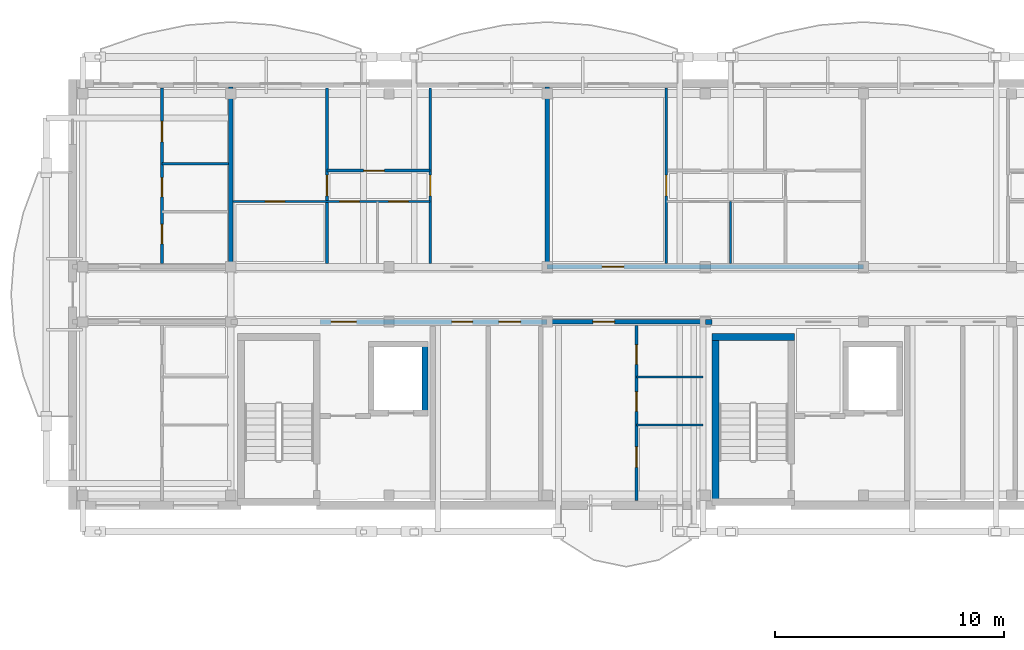
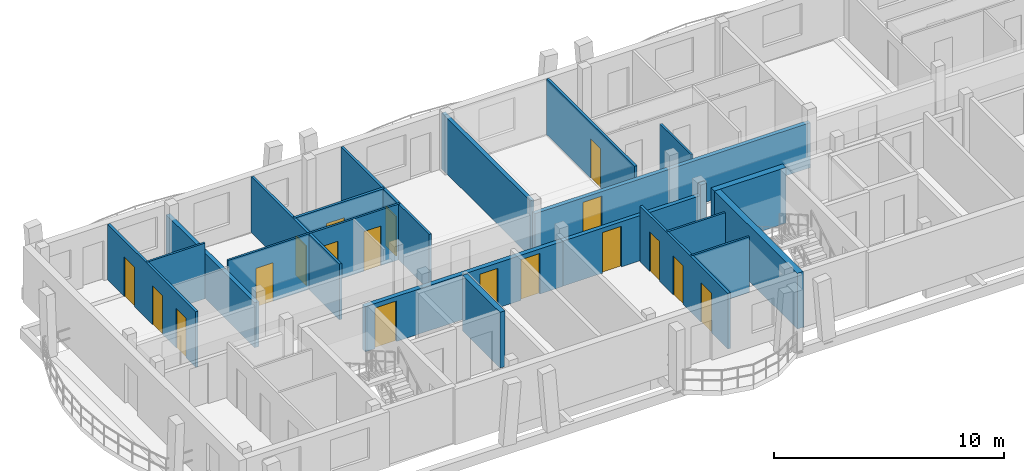
# One storey, part 22 of 48: 20 walls, 18 doors, 18 openings.
"""IFC4 building model written with IfcOpenShell, lengths in metres."""

from ifc_helpers import new_model, si_unit, direction, frame, frame_2d, origin, origin_with_axes, place, context, subcontext, project, spatial, rectangle, extrude, material, layer, layer_set, type_object, element, fill, save


model = new_model("IFC4")

# Units and contexts
model_context = context("Model", 3, precision=1e-05, world=origin(), true_north=direction((0.0, 1.0)))
body_context = subcontext(model_context, "Body", "Model", "MODEL_VIEW")
ifc_project = project(units=[si_unit("LENGTHUNIT", "METRE"), si_unit("AREAUNIT", "SQUARE_METRE"), si_unit("VOLUMEUNIT", "CUBIC_METRE"), si_unit("PLANEANGLEUNIT", "RADIAN"), si_unit("MASSUNIT", "GRAM", prefix="KILO")], contexts=[model_context])

# Site, building, storey
site_placement = place(None, origin())
site = spatial("IfcSite", under=ifc_project, at=site_placement, CompositionType="ELEMENT")
building_placement = place(site_placement, origin())
building = spatial("IfcBuilding", under=site, at=building_placement, Name="Zavelmont Quarter", CompositionType="ELEMENT")
storey_placement = place(building_placement, frame((0.0, 0.0, 17.60009765625)))
storey = spatial("IfcBuildingStorey", under=building, at=storey_placement, Name="L05", CompositionType="ELEMENT", Elevation=17.60009765625)

# Walls
ifc_material_1 = material(Name="Calcium-silicate blockwork and acoustic plaster", Category="masonry")
ifc_layer_1 = layer(ifc_material_1, 0.199951171875)
ifc_layer_set_1 = layer_set([ifc_layer_1], Name="Calcium-silicate blockwork and acoustic plaster")
wall_type_1 = type_object("IfcWallType", Name="IW01", PredefinedType="PARTITIONING", material=ifc_layer_set_1)
wall_1_placement = place(storey_placement, frame((6.89990234375, 108.14990234375, 0.0), z_axis=(0.0, 0.0, 1.0), x_axis=(0.0, 1.0, 0.0)))
element("IfcWall", 1, at=wall_1_placement, inside=storey, type_object=wall_type_1, Name="L05 Inter-dwelling compartment wall IW01", PredefinedType="PARTITIONING", context=body_context, shape_type="SweptSolid", body=[
    extrude(rectangle(XDim=7.7001953125, YDim=0.199951171875, at=frame_2d((3.85009765625, 0.0))), origin(), (0.0, 0.0, 1.0), 2.389892578125),
])
wall_2_placement = place(storey_placement, frame((20.699951171875, 108.14990234375, 0.0), z_axis=(0.0, 0.0, 1.0), x_axis=(0.0, 1.0, 0.0)))
element("IfcWall", 2, at=wall_2_placement, inside=storey, type_object=wall_type_1, Name="L05 Inter-dwelling compartment wall IW01", PredefinedType="PARTITIONING", context=body_context, shape_type="SweptSolid", body=[
    extrude(rectangle(XDim=7.7001953125, YDim=0.199951171875, at=frame_2d((3.85009765625, 0.0))), origin(), (0.0, 0.0, 1.0), 2.949951171875),
])

# Wall, opening, door
wall_3_placement = place(storey_placement, frame((20.699951171875, 108.0, 0.0), z_axis=(0.0, 0.0, 1.0), x_axis=(1.0, 0.0, 0.0)))
wall_3 = element("IfcWall", 3, at=wall_3_placement, inside=storey, type_object=wall_type_1, Name="L05 Corridor compartment wall IW01", PredefinedType="PARTITIONING", context=body_context, shape_type="SweptSolid", body=[
    extrude(rectangle(XDim=13.800048828125, YDim=0.199951171875, at=frame_2d((6.89990234375, 0.0))), origin(), (0.0, 0.0, 1.0), 2.389892578125),
])
opening_1_placement = place(wall_3_placement, frame((2.39990234375, 0.0, 0.0)))
opening_1 = element("IfcOpeningElement", 4, at=opening_1_placement, cuts=wall_3, Name="Opening DR02", PredefinedType="OPENING", context=body_context, shape_type="SweptSolid", body=[
    extrude(rectangle(XDim=0.949951171875, YDim=2.14990234375, at=frame_2d((0.47509765625, 1.074951171875))), frame((0.0, 0.11181640625, 0.0), z_axis=(0.0, -1.0, 0.0), x_axis=(1.0, 0.0, 0.0)), (0.0, 0.0, 1.0), 0.223876953125),
])
ifc_material_2 = material(Name="Solid-core oak fire leaf in steel frame", Category="steel")
door_type_1 = type_object("IfcDoorType", Name="DR02", OperationType="NOTDEFINED", PredefinedType="DOOR", material=ifc_material_2)
door_1_placement = place(opening_1_placement, origin_with_axes())
door_1 = element("IfcDoor", 5, at=door_1_placement, inside=storey, type_object=door_type_1, Name="L05 door DR02", OperationType="SINGLE_SWING_LEFT", OverallHeight=2.14990234375, OverallWidth=0.949951171875, PredefinedType="DOOR", context=body_context, shape_type="SweptSolid", body=[
    extrude(rectangle(XDim=0.949951171875, YDim=2.14990234375, at=frame_2d((0.47509765625, 1.074951171875))), frame((0.0, 0.02490234375, 0.0), z_axis=(0.0, -1.0, 0.0), x_axis=(1.0, 0.0, 0.0)), (0.0, 0.0, 1.0), 0.050048828125),
])
fill(opening_1, door_1)

wall_4_placement = place(storey_placement, frame((20.699951171875, 105.60009765625, 0.0), z_axis=(0.0, 0.0, 1.0), x_axis=(1.0, 0.0, 0.0)))
wall_4 = element("IfcWall", 6, at=wall_4_placement, inside=storey, type_object=wall_type_1, Name="L05 Corridor compartment wall IW01", PredefinedType="PARTITIONING", context=body_context, shape_type="SweptSolid", body=[
    extrude(rectangle(XDim=6.900146484375, YDim=0.199951171875, at=frame_2d((3.4501953125, 0.0))), origin(), (0.0, 0.0, 1.0), 2.389892578125),
])
opening_2_placement = place(wall_4_placement, frame((2.0, 0.0, 0.0)))
opening_2 = element("IfcOpeningElement", 7, at=opening_2_placement, cuts=wall_4, Name="Opening DR02", PredefinedType="OPENING", context=body_context, shape_type="SweptSolid", body=[
    extrude(rectangle(XDim=0.949951171875, YDim=2.14990234375, at=frame_2d((0.47509765625, 1.074951171875))), frame((0.0, 0.11181640625, 0.0), z_axis=(0.0, -1.0, 0.0), x_axis=(1.0, 0.0, 0.0)), (0.0, 0.0, 1.0), 0.223876953125),
])
door_2_placement = place(opening_2_placement, frame((0.949951171875, 0.0, 0.0), z_axis=(0.0, 0.0, 1.0), x_axis=(-1.0, 0.0, 0.0)))
door_2 = element("IfcDoor", 8, at=door_2_placement, inside=storey, type_object=door_type_1, Name="L05 door DR02", OperationType="SINGLE_SWING_RIGHT", OverallHeight=2.14990234375, OverallWidth=0.949951171875, PredefinedType="DOOR", context=body_context, shape_type="SweptSolid", body=[
    extrude(rectangle(XDim=0.949951171875, YDim=2.14990234375, at=frame_2d((0.47509765625, 1.074951171875))), frame((0.0, 0.02490234375, 0.0), z_axis=(0.0, -1.0, 0.0), x_axis=(1.0, 0.0, 0.0)), (0.0, 0.0, 1.0), 0.050048828125),
])
fill(opening_2, door_2)

# Wall, openings, doors
ifc_material_3 = material(Name="Reinforced masonry fire compartment wall", Category="masonry")
ifc_layer_2 = layer(ifc_material_3, 0.22509765625)
ifc_layer_set_2 = layer_set([ifc_layer_2], Name="Reinforced masonry fire compartment wall")
wall_type_2 = type_object("IfcWallType", Name="IW02", PredefinedType="PARTITIONING", material=ifc_layer_set_2)
wall_5_placement = place(storey_placement, frame((10.800048828125, 105.60009765625, 0.0), z_axis=(0.0, 0.0, 1.0), x_axis=(1.0, 0.0, 0.0)))
wall_5 = element("IfcWall", 9, at=wall_5_placement, inside=storey, type_object=wall_type_2, Name="L05 Core corridor fire wall IW02", PredefinedType="PARTITIONING", context=body_context, shape_type="SweptSolid", body=[
    extrude(rectangle(XDim=9.89990234375, YDim=0.22509765625, at=frame_2d((4.949951171875, 0.0))), origin(), (0.0, 0.0, 1.0), 2.389892578125),
])
opening_3_placement = place(wall_5_placement, frame((0.47509765625, 0.0, 0.0)))
opening_3 = element("IfcOpeningElement", 10, at=opening_3_placement, cuts=wall_5, Name="Opening DR10", PredefinedType="OPENING", context=body_context, shape_type="SweptSolid", body=[
    extrude(rectangle(XDim=1.10009765625, YDim=2.14990234375, at=frame_2d((0.550048828125, 1.074951171875))), frame((0.0, 0.12451171875, 0.0), z_axis=(0.0, -1.0, 0.0), x_axis=(1.0, 0.0, 0.0)), (0.0, 0.0, 1.0), 0.2490234375),
])
opening_4_placement = place(wall_5_placement, frame((5.75, 0.0, 0.0)))
opening_4 = element("IfcOpeningElement", 11, at=opening_4_placement, cuts=wall_5, Name="Opening DR11", PredefinedType="OPENING", context=body_context, shape_type="SweptSolid", body=[
    extrude(rectangle(XDim=0.89990234375, YDim=2.10009765625, at=frame_2d((0.449951171875, 1.050048828125))), frame((0.0, 0.12451171875, 0.0), z_axis=(0.0, -1.0, 0.0), x_axis=(1.0, 0.0, 0.0)), (0.0, 0.0, 1.0), 0.2490234375),
])
opening_5_placement = place(wall_5_placement, frame((7.800048828125, 0.0, 0.0)))
opening_5 = element("IfcOpeningElement", 12, at=opening_5_placement, cuts=wall_5, Name="Opening DR02", PredefinedType="OPENING", context=body_context, shape_type="SweptSolid", body=[
    extrude(rectangle(XDim=0.949951171875, YDim=2.14990234375, at=frame_2d((0.47509765625, 1.074951171875))), frame((0.0, 0.12451171875, 0.0), z_axis=(0.0, -1.0, 0.0), x_axis=(1.0, 0.0, 0.0)), (0.0, 0.0, 1.0), 0.2490234375),
])
door_3_placement = place(opening_5_placement, origin_with_axes())
door_3 = element("IfcDoor", 13, at=door_3_placement, inside=storey, type_object=door_type_1, Name="Auxiliary store corridor door", OperationType="SINGLE_SWING_RIGHT", OverallHeight=2.14990234375, OverallWidth=0.949951171875, PredefinedType="DOOR", context=body_context, shape_type="SweptSolid", body=[
    extrude(rectangle(XDim=0.949951171875, YDim=2.14990234375, at=frame_2d((0.47509765625, 1.074951171875))), frame((0.0, 0.02490234375, 0.0), z_axis=(0.0, -1.0, 0.0), x_axis=(1.0, 0.0, 0.0)), (0.0, 0.0, 1.0), 0.050048828125),
])
fill(opening_5, door_3)
ifc_material_4 = material(Name="Painted steel lobby fire door", Category="steel")
door_type_2 = type_object("IfcDoorType", Name="DR10", OperationType="NOTDEFINED", PredefinedType="DOOR", material=ifc_material_4)
door_4_placement = place(opening_3_placement, frame((1.10009765625, 0.0, 0.0), z_axis=(0.0, 0.0, 1.0), x_axis=(-1.0, 0.0, 0.0)))
door_4 = element("IfcDoor", 14, at=door_4_placement, inside=storey, type_object=door_type_2, Name="Core vestibule fire door", OperationType="SINGLE_SWING_RIGHT", OverallHeight=2.14990234375, OverallWidth=1.10009765625, PredefinedType="DOOR", context=body_context, shape_type="SweptSolid", body=[
    extrude(rectangle(XDim=1.10009765625, YDim=2.14990234375, at=frame_2d((0.550048828125, 1.074951171875))), frame((0.0, 0.02490234375, 0.0), z_axis=(0.0, -1.0, 0.0), x_axis=(1.0, 0.0, 0.0)), (0.0, 0.0, 1.0), 0.050048828125),
])
fill(opening_3, door_4)
ifc_material_5 = material(Name="Painted steel service-riser fire door", Category="steel")
door_type_3 = type_object("IfcDoorType", Name="DR11", OperationType="NOTDEFINED", PredefinedType="DOOR", material=ifc_material_5)
door_5_placement = place(opening_4_placement, origin_with_axes())
door_5 = element("IfcDoor", 15, at=door_5_placement, inside=storey, type_object=door_type_3, Name="Service riser fire door", OperationType="SINGLE_SWING_LEFT", OverallHeight=2.10009765625, OverallWidth=0.89990234375, PredefinedType="DOOR", context=body_context, shape_type="SweptSolid", body=[
    extrude(rectangle(XDim=0.89990234375, YDim=2.10009765625, at=frame_2d((0.449951171875, 1.050048828125))), frame((0.0, 0.02490234375, 0.0), z_axis=(0.0, -1.0, 0.0), x_axis=(1.0, 0.0, 0.0)), (0.0, 0.0, 1.0), 0.050048828125),
])
fill(opening_4, door_5)

# Wall
wall_6_placement = place(storey_placement, frame((27.60009765625, 105.60009765625, 0.0), z_axis=(0.0, 0.0, 1.0), x_axis=(1.0, 0.0, 0.0)))
element("IfcWall", 16, at=wall_6_placement, inside=storey, type_object=wall_type_2, Name="L05 Core corridor wall IW02", PredefinedType="PARTITIONING", context=body_context, shape_type="SweptSolid", body=[
    extrude(rectangle(XDim=0.2998046875, YDim=0.22509765625, at=frame_2d((0.14990234375, 0.0))), origin(), (0.0, 0.0, 1.0), 2.949951171875),
])

# Wall, openings, doors
ifc_material_6 = material(Name="Double gypsum board on acoustic steel stud", Category="steel")
ifc_layer_3 = layer(ifc_material_6, 0.125)
ifc_layer_set_3 = layer_set([ifc_layer_3], Name="Double gypsum board on acoustic steel stud")
wall_type_3 = type_object("IfcWallType", Name="IW03", PredefinedType="PARTITIONING", material=ifc_layer_set_3)
wall_7_placement = place(storey_placement, frame((3.89990234375, 108.14990234375, 0.0), z_axis=(0.0, 0.0, 1.0), x_axis=(0.0, 1.0, 0.0)))
wall_7 = element("IfcWall", 17, at=wall_7_placement, inside=storey, type_object=wall_type_3, Name="L05 Partition IW03", PredefinedType="PARTITIONING", context=body_context, shape_type="SweptSolid", body=[
    extrude(rectangle(XDim=7.650146484375, YDim=0.125, at=frame_2d((3.8251953125, 0.0))), origin(), (0.0, 0.0, 1.0), 2.949951171875),
])
opening_6_placement = place(wall_7_placement, frame((0.85009765625, 0.0, 0.0)))
opening_6 = element("IfcOpeningElement", 18, at=opening_6_placement, cuts=wall_7, Name="Opening DR16", PredefinedType="OPENING", context=body_context, shape_type="SweptSolid", body=[
    extrude(rectangle(XDim=0.85009765625, YDim=2.10009765625, at=frame_2d((0.425048828125, 1.050048828125))), frame((0.0, 0.074462890625, 0.0), z_axis=(0.0, -1.0, 0.0), x_axis=(1.0, 0.0, 0.0)), (0.0, 0.0, 1.0), 0.14892578125),
])
opening_7_placement = place(wall_7_placement, frame((2.89990234375, 0.0, 0.0)))
opening_7 = element("IfcOpeningElement", 19, at=opening_7_placement, cuts=wall_7, Name="Opening DR06", PredefinedType="OPENING", context=body_context, shape_type="SweptSolid", body=[
    extrude(rectangle(XDim=0.85009765625, YDim=2.050048828125, at=frame_2d((0.425048828125, 1.02490234375))), frame((0.0, 0.074462890625, 0.0), z_axis=(0.0, -1.0, 0.0), x_axis=(1.0, 0.0, 0.0)), (0.0, 0.0, 1.0), 0.14892578125),
])
opening_8_placement = place(wall_7_placement, frame((5.300048828125, 0.0, 0.0)))
opening_8 = element("IfcOpeningElement", 20, at=opening_8_placement, cuts=wall_7, Name="Opening DR05", PredefinedType="OPENING", context=body_context, shape_type="SweptSolid", body=[
    extrude(rectangle(XDim=0.89990234375, YDim=2.10009765625, at=frame_2d((0.449951171875, 1.050048828125))), frame((0.0, 0.074462890625, 0.0), z_axis=(0.0, -1.0, 0.0), x_axis=(1.0, 0.0, 0.0)), (0.0, 0.0, 1.0), 0.14892578125),
])
ifc_material_7 = material(Name="Engineered oak flush interior door")
door_type_4 = type_object("IfcDoorType", Name="DR05", OperationType="NOTDEFINED", PredefinedType="DOOR", material=ifc_material_7)
door_6_placement = place(opening_8_placement, origin_with_axes())
door_6 = element("IfcDoor", 21, at=door_6_placement, inside=storey, type_object=door_type_4, Name="L05 door DR05", OperationType="SINGLE_SWING_RIGHT", OverallHeight=2.10009765625, OverallWidth=0.89990234375, PredefinedType="DOOR", context=body_context, shape_type="SweptSolid", body=[
    extrude(rectangle(XDim=0.89990234375, YDim=2.10009765625, at=frame_2d((0.449951171875, 1.050048828125))), frame((0.0, 0.02490234375, 0.0), z_axis=(0.0, -1.0, 0.0), x_axis=(1.0, 0.0, 0.0)), (0.0, 0.0, 1.0), 0.050048828125),
])
fill(opening_8, door_6)
ifc_material_8 = material(Name="Moisture-resistant painted wet-room door")
door_type_5 = type_object("IfcDoorType", Name="DR06", OperationType="NOTDEFINED", PredefinedType="DOOR", material=ifc_material_8)
door_7_placement = place(opening_7_placement, frame((0.85009765625, 0.0, 0.0), z_axis=(0.0, 0.0, 1.0), x_axis=(-1.0, 0.0, 0.0)))
door_7 = element("IfcDoor", 22, at=door_7_placement, inside=storey, type_object=door_type_5, Name="L05 door DR06", OperationType="SINGLE_SWING_LEFT", OverallHeight=2.050048828125, OverallWidth=0.85009765625, PredefinedType="DOOR", context=body_context, shape_type="SweptSolid", body=[
    extrude(rectangle(XDim=0.85009765625, YDim=2.050048828125, at=frame_2d((0.425048828125, 1.02490234375))), frame((0.0, 0.02490234375, 0.0), z_axis=(0.0, -1.0, 0.0), x_axis=(1.0, 0.0, 0.0)), (0.0, 0.0, 1.0), 0.050048828125),
])
fill(opening_7, door_7)
door_type_6 = type_object("IfcDoorType", Name="DR16", OperationType="NOTDEFINED", PredefinedType="DOOR", material=ifc_material_7)
door_8_placement = place(opening_6_placement, origin_with_axes())
door_8 = element("IfcDoor", 23, at=door_8_placement, inside=storey, type_object=door_type_6, Name="L05 door DR16", OperationType="SINGLE_SWING_RIGHT", OverallHeight=2.10009765625, OverallWidth=0.85009765625, PredefinedType="DOOR", context=body_context, shape_type="SweptSolid", body=[
    extrude(rectangle(XDim=0.85009765625, YDim=2.10009765625, at=frame_2d((0.425048828125, 1.050048828125))), frame((0.0, 0.02490234375, 0.0), z_axis=(0.0, -1.0, 0.0), x_axis=(1.0, 0.0, 0.0)), (0.0, 0.0, 1.0), 0.050048828125),
])
fill(opening_6, door_8)

# Wall, opening, door
wall_8_placement = place(storey_placement, frame((15.60009765625, 108.14990234375, 0.0), z_axis=(0.0, 0.0, 1.0), x_axis=(0.0, 1.0, 0.0)))
wall_8 = element("IfcWall", 24, at=wall_8_placement, inside=storey, type_object=wall_type_3, Name="L05 Partition IW03", PredefinedType="PARTITIONING", context=body_context, shape_type="SweptSolid", body=[
    extrude(rectangle(XDim=7.650146484375, YDim=0.125, at=frame_2d((3.8251953125, 0.0))), origin(), (0.0, 0.0, 1.0), 2.949951171875),
])
opening_9_placement = place(wall_8_placement, frame((2.949951171875, 0.0, 0.0)))
opening_9 = element("IfcOpeningElement", 25, at=opening_9_placement, cuts=wall_8, Name="Opening DR05", PredefinedType="OPENING", context=body_context, shape_type="SweptSolid", body=[
    extrude(rectangle(XDim=0.89990234375, YDim=2.10009765625, at=frame_2d((0.449951171875, 1.050048828125))), frame((0.0, 0.074462890625, 0.0), z_axis=(0.0, -1.0, 0.0), x_axis=(1.0, 0.0, 0.0)), (0.0, 0.0, 1.0), 0.14892578125),
])
door_9_placement = place(opening_9_placement, origin_with_axes())
door_9 = element("IfcDoor", 26, at=door_9_placement, inside=storey, type_object=door_type_4, Name="L05 door DR05", OperationType="SINGLE_SWING_LEFT", OverallHeight=2.10009765625, OverallWidth=0.89990234375, PredefinedType="DOOR", context=body_context, shape_type="SweptSolid", body=[
    extrude(rectangle(XDim=0.89990234375, YDim=2.10009765625, at=frame_2d((0.449951171875, 1.050048828125))), frame((0.0, 0.02490234375, 0.0), z_axis=(0.0, -1.0, 0.0), x_axis=(1.0, 0.0, 0.0)), (0.0, 0.0, 1.0), 0.050048828125),
])
fill(opening_9, door_9)

wall_9_placement = place(storey_placement, frame((11.10009765625, 108.14990234375, 0.0), z_axis=(0.0, 0.0, 1.0), x_axis=(0.0, 1.0, 0.0)))
wall_9 = element("IfcWall", 27, at=wall_9_placement, inside=storey, type_object=wall_type_3, Name="L05 Partition IW03", PredefinedType="PARTITIONING", context=body_context, shape_type="SweptSolid", body=[
    extrude(rectangle(XDim=7.650146484375, YDim=0.125, at=frame_2d((3.8251953125, 0.0))), origin(), (0.0, 0.0, 1.0), 2.949951171875),
])
opening_10_placement = place(wall_9_placement, frame((2.949951171875, 0.0, 0.0)))
opening_10 = element("IfcOpeningElement", 28, at=opening_10_placement, cuts=wall_9, Name="Opening DR05", PredefinedType="OPENING", context=body_context, shape_type="SweptSolid", body=[
    extrude(rectangle(XDim=0.89990234375, YDim=2.10009765625, at=frame_2d((0.449951171875, 1.050048828125))), frame((0.0, 0.074462890625, 0.0), z_axis=(0.0, -1.0, 0.0), x_axis=(1.0, 0.0, 0.0)), (0.0, 0.0, 1.0), 0.14892578125),
])
door_10_placement = place(opening_10_placement, frame((0.89990234375, 0.0, 0.0), z_axis=(0.0, 0.0, 1.0), x_axis=(-1.0, 0.0, 0.0)))
door_10 = element("IfcDoor", 29, at=door_10_placement, inside=storey, type_object=door_type_4, Name="L05 door DR05", OperationType="SINGLE_SWING_RIGHT", OverallHeight=2.10009765625, OverallWidth=0.89990234375, PredefinedType="DOOR", context=body_context, shape_type="SweptSolid", body=[
    extrude(rectangle(XDim=0.89990234375, YDim=2.10009765625, at=frame_2d((0.449951171875, 1.050048828125))), frame((0.0, 0.02490234375, 0.0), z_axis=(0.0, -1.0, 0.0), x_axis=(1.0, 0.0, 0.0)), (0.0, 0.0, 1.0), 0.050048828125),
])
fill(opening_10, door_10)

wall_10_placement = place(storey_placement, frame((11.10009765625, 112.199951171875, 0.0), z_axis=(0.0, 0.0, 1.0), x_axis=(1.0, 0.0, 0.0)))
wall_10 = element("IfcWall", 30, at=wall_10_placement, inside=storey, type_object=wall_type_3, Name="L05 Partition IW03", PredefinedType="PARTITIONING", context=body_context, shape_type="SweptSolid", body=[
    extrude(rectangle(XDim=4.5, YDim=0.125, at=frame_2d((2.25, 0.0))), origin(), (0.0, 0.0, 1.0), 2.949951171875),
])
opening_11_placement = place(wall_10_placement, frame((1.60009765625, 0.0, 0.0)))
opening_11 = element("IfcOpeningElement", 31, at=opening_11_placement, cuts=wall_10, Name="Opening DR05", PredefinedType="OPENING", context=body_context, shape_type="SweptSolid", body=[
    extrude(rectangle(XDim=0.89990234375, YDim=2.10009765625, at=frame_2d((0.449951171875, 1.050048828125))), frame((0.0, 0.074462890625, 0.0), z_axis=(0.0, -1.0, 0.0), x_axis=(1.0, 0.0, 0.0)), (0.0, 0.0, 1.0), 0.14892578125),
])
door_11_placement = place(opening_11_placement, frame((0.89990234375, 0.0, 0.0), z_axis=(0.0, 0.0, 1.0), x_axis=(-1.0, 0.0, 0.0)))
door_11 = element("IfcDoor", 32, at=door_11_placement, inside=storey, type_object=door_type_4, Name="L05 door DR05", OperationType="SINGLE_SWING_RIGHT", OverallHeight=2.10009765625, OverallWidth=0.89990234375, PredefinedType="DOOR", context=body_context, shape_type="SweptSolid", body=[
    extrude(rectangle(XDim=0.89990234375, YDim=2.10009765625, at=frame_2d((0.449951171875, 1.050048828125))), frame((0.0, 0.02490234375, 0.0), z_axis=(0.0, -1.0, 0.0), x_axis=(1.0, 0.0, 0.0)), (0.0, 0.0, 1.0), 0.050048828125),
])
fill(opening_11, door_11)

wall_11_placement = place(storey_placement, frame((25.89990234375, 108.14990234375, 0.0), z_axis=(0.0, 0.0, 1.0), x_axis=(0.0, 1.0, 0.0)))
wall_11 = element("IfcWall", 33, at=wall_11_placement, inside=storey, type_object=wall_type_3, Name="L05 Partition IW03", PredefinedType="PARTITIONING", context=body_context, shape_type="SweptSolid", body=[
    extrude(rectangle(XDim=7.650146484375, YDim=0.125, at=frame_2d((3.8251953125, 0.0))), origin(), (0.0, 0.0, 1.0), 2.949951171875),
])
opening_12_placement = place(wall_11_placement, frame((2.949951171875, 0.0, 0.0)))
opening_12 = element("IfcOpeningElement", 34, at=opening_12_placement, cuts=wall_11, Name="Opening DR05", PredefinedType="OPENING", context=body_context, shape_type="SweptSolid", body=[
    extrude(rectangle(XDim=0.89990234375, YDim=2.10009765625, at=frame_2d((0.449951171875, 1.050048828125))), frame((0.0, 0.074462890625, 0.0), z_axis=(0.0, -1.0, 0.0), x_axis=(1.0, 0.0, 0.0)), (0.0, 0.0, 1.0), 0.14892578125),
])
door_12_placement = place(opening_12_placement, frame((0.89990234375, 0.0, 0.0), z_axis=(0.0, 0.0, 1.0), x_axis=(-1.0, 0.0, 0.0)))
door_12 = element("IfcDoor", 35, at=door_12_placement, inside=storey, type_object=door_type_4, Name="L05 door DR05", OperationType="SINGLE_SWING_LEFT", OverallHeight=2.10009765625, OverallWidth=0.89990234375, PredefinedType="DOOR", context=body_context, shape_type="SweptSolid", body=[
    extrude(rectangle(XDim=0.89990234375, YDim=2.10009765625, at=frame_2d((0.449951171875, 1.050048828125))), frame((0.0, 0.02490234375, 0.0), z_axis=(0.0, -1.0, 0.0), x_axis=(1.0, 0.0, 0.0)), (0.0, 0.0, 1.0), 0.050048828125),
])
fill(opening_12, door_12)

# Wall, openings, doors
wall_12_placement = place(storey_placement, frame((24.60009765625, 105.449951171875, 0.0), z_axis=(0.0, 0.0, 1.0), x_axis=(0.0, -1.0, 0.0)))
wall_12 = element("IfcWall", 36, at=wall_12_placement, inside=storey, type_object=wall_type_3, Name="L05 Partition IW03", PredefinedType="PARTITIONING", context=body_context, shape_type="SweptSolid", body=[
    extrude(rectangle(XDim=7.64990234375, YDim=0.125, at=frame_2d((3.824951171875, 0.0))), origin(), (0.0, 0.0, 1.0), 2.949951171875),
])
opening_13_placement = place(wall_12_placement, frame((0.85009765625, 0.0, 0.0)))
opening_13 = element("IfcOpeningElement", 37, at=opening_13_placement, cuts=wall_12, Name="Opening DR16", PredefinedType="OPENING", context=body_context, shape_type="SweptSolid", body=[
    extrude(rectangle(XDim=0.85009765625, YDim=2.10009765625, at=frame_2d((0.425048828125, 1.050048828125))), frame((0.0, 0.074462890625, 0.0), z_axis=(0.0, -1.0, 0.0), x_axis=(1.0, 0.0, 0.0)), (0.0, 0.0, 1.0), 0.14892578125),
])
opening_14_placement = place(wall_12_placement, frame((2.89990234375, 0.0, 0.0)))
opening_14 = element("IfcOpeningElement", 38, at=opening_14_placement, cuts=wall_12, Name="Opening DR06", PredefinedType="OPENING", context=body_context, shape_type="SweptSolid", body=[
    extrude(rectangle(XDim=0.85009765625, YDim=2.050048828125, at=frame_2d((0.425048828125, 1.02490234375))), frame((0.0, 0.074462890625, 0.0), z_axis=(0.0, -1.0, 0.0), x_axis=(1.0, 0.0, 0.0)), (0.0, 0.0, 1.0), 0.14892578125),
])
opening_15_placement = place(wall_12_placement, frame((5.300048828125, 0.0, 0.0)))
opening_15 = element("IfcOpeningElement", 39, at=opening_15_placement, cuts=wall_12, Name="Opening DR05", PredefinedType="OPENING", context=body_context, shape_type="SweptSolid", body=[
    extrude(rectangle(XDim=0.89990234375, YDim=2.10009765625, at=frame_2d((0.449951171875, 1.050048828125))), frame((0.0, 0.074462890625, 0.0), z_axis=(0.0, -1.0, 0.0), x_axis=(1.0, 0.0, 0.0)), (0.0, 0.0, 1.0), 0.14892578125),
])
door_13_placement = place(opening_15_placement, origin_with_axes())
door_13 = element("IfcDoor", 40, at=door_13_placement, inside=storey, type_object=door_type_4, Name="L05 door DR05", OperationType="SINGLE_SWING_RIGHT", OverallHeight=2.10009765625, OverallWidth=0.89990234375, PredefinedType="DOOR", context=body_context, shape_type="SweptSolid", body=[
    extrude(rectangle(XDim=0.89990234375, YDim=2.10009765625, at=frame_2d((0.449951171875, 1.050048828125))), frame((0.0, 0.02490234375, 0.0), z_axis=(0.0, -1.0, 0.0), x_axis=(1.0, 0.0, 0.0)), (0.0, 0.0, 1.0), 0.050048828125),
])
fill(opening_15, door_13)
door_14_placement = place(opening_14_placement, frame((0.85009765625, 0.0, 0.0), z_axis=(0.0, 0.0, 1.0), x_axis=(-1.0, 0.0, 0.0)))
door_14 = element("IfcDoor", 41, at=door_14_placement, inside=storey, type_object=door_type_5, Name="L05 door DR06", OperationType="SINGLE_SWING_LEFT", OverallHeight=2.050048828125, OverallWidth=0.85009765625, PredefinedType="DOOR", context=body_context, shape_type="SweptSolid", body=[
    extrude(rectangle(XDim=0.85009765625, YDim=2.050048828125, at=frame_2d((0.425048828125, 1.02490234375))), frame((0.0, 0.02490234375, 0.0), z_axis=(0.0, -1.0, 0.0), x_axis=(1.0, 0.0, 0.0)), (0.0, 0.0, 1.0), 0.050048828125),
])
fill(opening_14, door_14)
door_15_placement = place(opening_13_placement, origin_with_axes())
door_15 = element("IfcDoor", 42, at=door_15_placement, inside=storey, type_object=door_type_6, Name="L05 door DR16", OperationType="SINGLE_SWING_RIGHT", OverallHeight=2.10009765625, OverallWidth=0.85009765625, PredefinedType="DOOR", context=body_context, shape_type="SweptSolid", body=[
    extrude(rectangle(XDim=0.85009765625, YDim=2.10009765625, at=frame_2d((0.425048828125, 1.050048828125))), frame((0.0, 0.02490234375, 0.0), z_axis=(0.0, -1.0, 0.0), x_axis=(1.0, 0.0, 0.0)), (0.0, 0.0, 1.0), 0.050048828125),
])
fill(opening_13, door_15)

# Wall
ifc_material_9 = material(Name="Moisture-resistant gypsum board on steel stud", Category="steel")
ifc_layer_4 = layer(ifc_material_9, 0.10009765625)
ifc_layer_set_4 = layer_set([ifc_layer_4], Name="Moisture-resistant gypsum board on steel stud")
wall_type_4 = type_object("IfcWallType", Name="IW04", PredefinedType="PARTITIONING", material=ifc_layer_set_4)
wall_13_placement = place(storey_placement, frame((3.89990234375, 112.5, 0.0), z_axis=(0.0, 0.0, 1.0), x_axis=(1.0, 0.0, 0.0)))
element("IfcWall", 43, at=wall_13_placement, inside=storey, type_object=wall_type_4, Name="L05 Partition IW04", PredefinedType="PARTITIONING", context=body_context, shape_type="SweptSolid", body=[
    extrude(rectangle(XDim=2.900146484375, YDim=0.10009765625, at=frame_2d((1.4501953125, 0.0))), origin(), (0.0, 0.0, 1.0), 2.949951171875),
])

# Wall, openings, doors
wall_14_placement = place(storey_placement, frame((7.0, 110.85009765625, 0.0), z_axis=(0.0, 0.0, 1.0), x_axis=(1.0, 0.0, 0.0)))
wall_14 = element("IfcWall", 44, at=wall_14_placement, inside=storey, type_object=wall_type_4, Name="L05 Partition IW04", PredefinedType="PARTITIONING", context=body_context, shape_type="SweptSolid", body=[
    extrude(rectangle(XDim=8.60009765625, YDim=0.10009765625, at=frame_2d((4.300048828125, 0.0))), origin(), (0.0, 0.0, 1.0), 2.949951171875),
])
opening_16_placement = place(wall_14_placement, frame((1.39990234375, 0.0, 0.0)))
opening_16 = element("IfcOpeningElement", 45, at=opening_16_placement, cuts=wall_14, Name="Opening DR06", PredefinedType="OPENING", context=body_context, shape_type="SweptSolid", body=[
    extrude(rectangle(XDim=0.85009765625, YDim=2.050048828125, at=frame_2d((0.425048828125, 1.02490234375))), frame((0.0, 0.06201171875, 0.0), z_axis=(0.0, -1.0, 0.0), x_axis=(1.0, 0.0, 0.0)), (0.0, 0.0, 1.0), 0.1240234375),
])
opening_17_placement = place(wall_14_placement, frame((4.64990234375, 0.0, 0.0)))
opening_17 = element("IfcOpeningElement", 46, at=opening_17_placement, cuts=wall_14, Name="Opening DR06", PredefinedType="OPENING", context=body_context, shape_type="SweptSolid", body=[
    extrude(rectangle(XDim=0.85009765625, YDim=2.050048828125, at=frame_2d((0.425048828125, 1.02490234375))), frame((0.0, 0.06201171875, 0.0), z_axis=(0.0, -1.0, 0.0), x_axis=(1.0, 0.0, 0.0)), (0.0, 0.0, 1.0), 0.1240234375),
])
opening_18_placement = place(wall_14_placement, frame((6.800048828125, 0.0, 0.0)))
opening_18 = element("IfcOpeningElement", 47, at=opening_18_placement, cuts=wall_14, Name="Opening DR16", PredefinedType="OPENING", context=body_context, shape_type="SweptSolid", body=[
    extrude(rectangle(XDim=0.85009765625, YDim=2.10009765625, at=frame_2d((0.425048828125, 1.050048828125))), frame((0.0, 0.06201171875, 0.0), z_axis=(0.0, -1.0, 0.0), x_axis=(1.0, 0.0, 0.0)), (0.0, 0.0, 1.0), 0.1240234375),
])
door_16_placement = place(opening_16_placement, origin_with_axes())
door_16 = element("IfcDoor", 48, at=door_16_placement, inside=storey, type_object=door_type_5, Name="L05 door DR06", OperationType="SINGLE_SWING_LEFT", OverallHeight=2.050048828125, OverallWidth=0.85009765625, PredefinedType="DOOR", context=body_context, shape_type="SweptSolid", body=[
    extrude(rectangle(XDim=0.85009765625, YDim=2.050048828125, at=frame_2d((0.425048828125, 1.02490234375))), frame((0.0, 0.02490234375, 0.0), z_axis=(0.0, -1.0, 0.0), x_axis=(1.0, 0.0, 0.0)), (0.0, 0.0, 1.0), 0.050048828125),
])
fill(opening_16, door_16)
door_17_placement = place(opening_17_placement, frame((0.85009765625, 0.0, 0.0), z_axis=(0.0, 0.0, 1.0), x_axis=(-1.0, 0.0, 0.0)))
door_17 = element("IfcDoor", 49, at=door_17_placement, inside=storey, type_object=door_type_5, Name="L05 door DR06", OperationType="SINGLE_SWING_RIGHT", OverallHeight=2.050048828125, OverallWidth=0.85009765625, PredefinedType="DOOR", context=body_context, shape_type="SweptSolid", body=[
    extrude(rectangle(XDim=0.85009765625, YDim=2.050048828125, at=frame_2d((0.425048828125, 1.02490234375))), frame((0.0, 0.02490234375, 0.0), z_axis=(0.0, -1.0, 0.0), x_axis=(1.0, 0.0, 0.0)), (0.0, 0.0, 1.0), 0.050048828125),
])
fill(opening_17, door_17)
door_18_placement = place(opening_18_placement, origin_with_axes())
door_18 = element("IfcDoor", 50, at=door_18_placement, inside=storey, type_object=door_type_6, Name="L05 door DR16", OperationType="SINGLE_SWING_LEFT", OverallHeight=2.10009765625, OverallWidth=0.85009765625, PredefinedType="DOOR", context=body_context, shape_type="SweptSolid", body=[
    extrude(rectangle(XDim=0.85009765625, YDim=2.10009765625, at=frame_2d((0.425048828125, 1.050048828125))), frame((0.0, 0.02490234375, 0.0), z_axis=(0.0, -1.0, 0.0), x_axis=(1.0, 0.0, 0.0)), (0.0, 0.0, 1.0), 0.050048828125),
])
fill(opening_18, door_18)

# Walls
wall_15_placement = place(storey_placement, frame((28.699951171875, 108.14990234375, 0.0), z_axis=(0.0, 0.0, 1.0), x_axis=(0.0, 1.0, 0.0)))
element("IfcWall", 51, at=wall_15_placement, inside=storey, type_object=wall_type_4, Name="L05 Partition IW04", PredefinedType="PARTITIONING", context=body_context, shape_type="SweptSolid", body=[
    extrude(rectangle(XDim=2.7001953125, YDim=0.10009765625, at=frame_2d((1.35009765625, 0.0))), origin(), (0.0, 0.0, 1.0), 2.58984375),
])
for number, where, z_axis, x_axis, name in (
    (52, (24.60009765625, 103.199951171875, 0.0), (0.0, 0.0, 1.0), (1.0, 0.0, 0.0), "L05 Partition IW04"),
    (53, (24.60009765625, 101.10009765625, 0.0), (0.0, 0.0, 1.0), (1.0, 0.0, 0.0), "L05 Partition IW04"),
):
    element("IfcWall", number, at=place(storey_placement, frame(where, z_axis=z_axis, x_axis=x_axis)), inside=storey, type_object=wall_type_4, Name=name, PredefinedType="PARTITIONING", context=body_context, shape_type="SweptSolid", body=[
        extrude(rectangle(XDim=2.89990234375, YDim=0.10009765625, at=frame_2d((1.449951171875, 0.0))), origin(), (0.0, 0.0, 1.0), 2.949951171875),
    ])
ifc_material_10 = material(Name="Concrete C40/50", Category="concrete")
ifc_layer_5 = layer(ifc_material_10, 0.300048828125)
ifc_layer_set_5 = layer_set([ifc_layer_5], Name="Concrete C40/50")
wall_type_5 = type_object("IfcWallType", Name="SW01", PredefinedType="SHEAR", material=ifc_layer_set_5)
wall_16_placement = place(storey_placement, frame((27.89990234375, 104.949951171875, 0.0), z_axis=(0.0, 0.0, 1.0), x_axis=(1.0, 0.0, 0.0)))
element("IfcWall", 54, at=wall_16_placement, inside=storey, type_object=wall_type_5, Name="L05 ST04 corridor shear wall SW01", PredefinedType="SHEAR", context=body_context, shape_type="SweptSolid", body=[
    extrude(rectangle(XDim=3.60009765625, YDim=0.300048828125, at=frame_2d((1.800048828125, 0.0))), origin(), (0.0, 0.0, 1.0), 2.949951171875),
])
wall_17_placement = place(storey_placement, frame((28.050048828125, 97.60009765625, 0.0), z_axis=(0.0, 0.0, 1.0), x_axis=(0.0, 1.0, 0.0)))
element("IfcWall", 55, at=wall_17_placement, inside=storey, type_object=wall_type_5, Name="L05 ST04 west shear wall SW01", PredefinedType="SHEAR", context=body_context, shape_type="SweptSolid", body=[
    extrude(rectangle(XDim=7.5, YDim=0.300048828125, at=frame_2d((3.75, 0.0))), origin(), (0.0, 0.0, 1.0), 2.949951171875),
])
ifc_layer_6 = layer(ifc_material_10, 0.25)
ifc_layer_set_6 = layer_set([ifc_layer_6], Name="Concrete C40/50")
wall_type_6 = type_object("IfcWallType", Name="SW02", PredefinedType="SHEAR", material=ifc_layer_set_6)
wall_18_placement = place(storey_placement, frame((15.375, 101.5, 0.0), z_axis=(0.0, 0.0, 1.0), x_axis=(0.0, 1.0, 0.0)))
element("IfcWall", 56, at=wall_18_placement, inside=storey, type_object=wall_type_6, Name="L05 Lift FL02 east shaft wall SW02", PredefinedType="SHEAR", context=body_context, shape_type="SweptSolid", body=[
    extrude(rectangle(XDim=3.25, YDim=0.25, at=frame_2d((1.625, 0.0))), origin(), (0.0, 0.0, 1.0), 2.949951171875),
])

save(model, "model.ifc")
